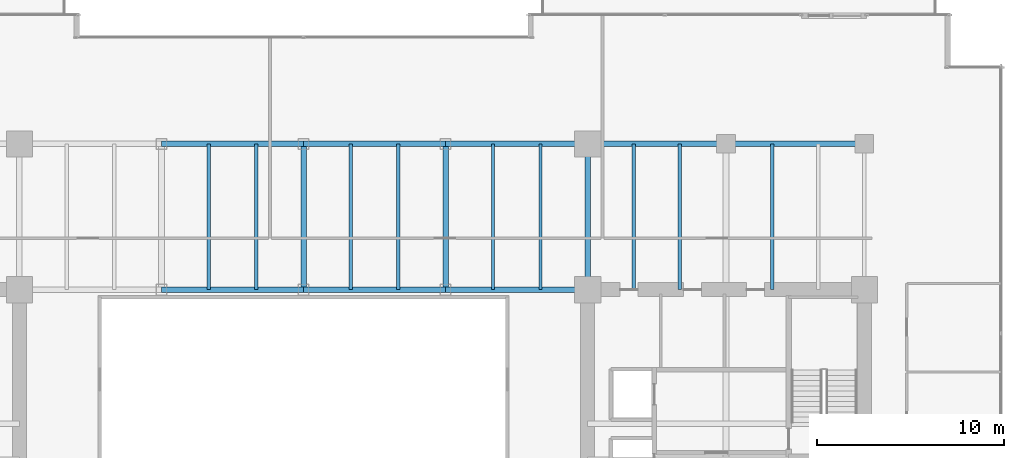
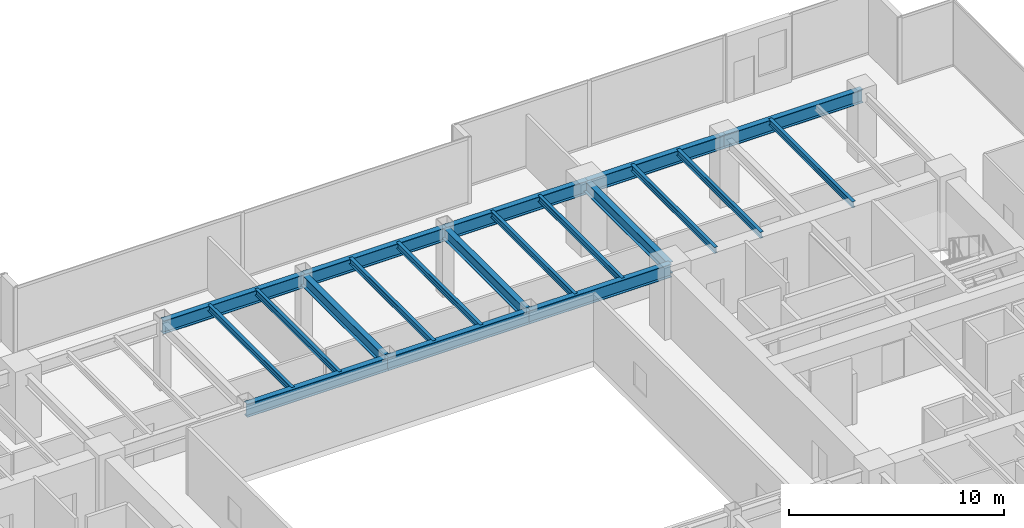
# One storey, part 17 of 31: 20 beams.
"""IFC4 building model written with IfcOpenShell, lengths in metres."""

from ifc_helpers import new_model, si_unit, direction, frame, origin, origin_2d, place, context, subcontext, project, spatial, i_section, extrude, source, transform, mapped, material, material_profile, profile_set, type_object, type_shapes, element, save


model = new_model("IFC4")

# Units and contexts
model_context = context("Model", 3, precision=1e-05, world=origin(), true_north=direction((0.0, 1.0)))
body_context = subcontext(model_context, "Body", "Model", "MODEL_VIEW")
ifc_project = project(units=[si_unit("LENGTHUNIT", "METRE"), si_unit("AREAUNIT", "SQUARE_METRE"), si_unit("VOLUMEUNIT", "CUBIC_METRE"), si_unit("PLANEANGLEUNIT", "RADIAN"), si_unit("MASSUNIT", "GRAM", prefix="KILO")], contexts=[model_context])

# Site, building, storey
site_placement = place(None, origin())
site = spatial("IfcSite", under=ifc_project, at=site_placement, CompositionType="ELEMENT")
building_placement = place(site_placement, origin())
building = spatial("IfcBuilding", under=site, at=building_placement, Name="Haelvirn Gate Laboratories", CompositionType="ELEMENT")
storey_placement = place(building_placement, frame((0.0, 0.0, 62.10009765625)))
storey = spatial("IfcBuildingStorey", under=building, at=storey_placement, Name="L15", CompositionType="ELEMENT", Elevation=62.10009765625)

# Beams
ifc_material = material(Name="Steel SM355", Category="steel")
ifc_material_profile_1 = material_profile(ifc_material, i_section(OverallWidth=0.300048828125, OverallDepth=0.75, WebThickness=0.013916015625, FlangeThickness=0.02392578125, at=origin_2d()), Name="H-750x300x14x24")
ifc_profile_set_1 = profile_set([ifc_material_profile_1], Name="Steel SM355")
beam_type_1 = type_object("IfcBeamType", Name="BM-G-750", PredefinedType="BEAM", material=ifc_profile_set_1)
shared_shape_1 = source(origin(), body_context, "Body", "SweptSolid", [
    extrude(i_section(OverallWidth=0.300048828125, OverallDepth=0.75, WebThickness=0.013916015625, FlangeThickness=0.02392578125, at=origin_2d()), origin(), (0.0, 0.0, 1.0), 7.39990234375),
])
for number, where, z_axis, x_axis, name in (
    (1, (52.60009765625, 41.60009765625, 3.40478515625), (1.0, 0.0, 0.0), (0.0, 1.0, 0.0), "L15 Primary Girder Y41.6 (52.6-60.0)"),
    (2, (60.0, 41.60009765625, 3.40478515625), (1.0, 0.0, 0.0), (0.0, 1.0, 0.0), "L15 Primary Girder Y41.6 (60.0-67.4)"),
):
    element("IfcBeam", number, at=place(storey_placement, frame(where, z_axis=z_axis, x_axis=x_axis)), inside=storey, type_object=beam_type_1, Name=name, PredefinedType="BEAM", context=body_context, shape_type="MappedRepresentation", body=[
        mapped(shared_shape_1, transform((0.0, 0.0, 0.0), scale=1.0)),
    ])
shared_shape_2 = source(origin(), body_context, "Body", "SweptSolid", [
    extrude(i_section(OverallWidth=0.300048828125, OverallDepth=0.75, WebThickness=0.013916015625, FlangeThickness=0.02392578125, at=origin_2d()), origin(), (0.0, 0.0, 1.0), 7.60009765625),
])
for number, where, z_axis, x_axis, name in (
    (3, (37.39990234375, 33.800048828125, 3.40478515625), (1.0, 0.0, 0.0), (0.0, 1.0, 0.0), "L15 Primary Girder Y33.8 (37.4-45.0)"),
    (4, (45.0, 33.800048828125, 3.40478515625), (1.0, 0.0, 0.0), (0.0, 1.0, 0.0), "L15 Primary Girder Y33.8 (45.0-52.6)"),
    (5, (37.39990234375, 41.60009765625, 3.40478515625), (1.0, 0.0, 0.0), (0.0, 1.0, 0.0), "L15 Primary Girder Y41.6 (37.4-45.0)"),
    (6, (45.0, 41.60009765625, 3.40478515625), (1.0, 0.0, 0.0), (0.0, 1.0, 0.0), "L15 Primary Girder Y41.6 (45.0-52.6)"),
):
    element("IfcBeam", number, at=place(storey_placement, frame(where, z_axis=z_axis, x_axis=x_axis)), inside=storey, type_object=beam_type_1, Name=name, PredefinedType="BEAM", context=body_context, shape_type="MappedRepresentation", body=[
        mapped(shared_shape_2, transform((0.0, 0.0, 0.0), scale=1.0)),
    ])
shared_shape_3 = source(origin(), body_context, "Body", "SweptSolid", [
    extrude(i_section(OverallWidth=0.300048828125, OverallDepth=0.75, WebThickness=0.013916015625, FlangeThickness=0.02392578125, at=origin_2d()), origin(), (0.0, 0.0, 1.0), 7.599853515625),
])
type_shapes(beam_type_1, [shared_shape_1, shared_shape_2, shared_shape_3])
for number, where, z_axis, x_axis, name in (
    (7, (29.800048828125, 33.800048828125, 3.40478515625), (1.0, 0.0, 0.0), (0.0, 1.0, 0.0), "L15 Primary Girder Y33.8 (29.8-37.4)"),
    (8, (29.800048828125, 41.60009765625, 3.40478515625), (1.0, 0.0, 0.0), (0.0, 1.0, 0.0), "L15 Primary Girder Y41.6 (29.8-37.4)"),
):
    element("IfcBeam", number, at=place(storey_placement, frame(where, z_axis=z_axis, x_axis=x_axis)), inside=storey, type_object=beam_type_1, Name=name, PredefinedType="BEAM", context=body_context, shape_type="MappedRepresentation", body=[
        mapped(shared_shape_3, transform((0.0, 0.0, 0.0), scale=1.0)),
    ])
ifc_material_profile_2 = material_profile(ifc_material, i_section(OverallWidth=0.175048828125, OverallDepth=0.35009765625, WebThickness=0.007080078125, FlangeThickness=0.010986328125, at=origin_2d()), Name="H-350x175x7x11")
ifc_profile_set_2 = profile_set([ifc_material_profile_2], Name="Steel SM355")
beam_type_2 = type_object("IfcBeamType", Name="BM-J-350", PredefinedType="JOIST", material=ifc_profile_set_2)
shared_shape_4 = source(origin(), body_context, "Body", "SweptSolid", [
    extrude(i_section(OverallWidth=0.175048828125, OverallDepth=0.35009765625, WebThickness=0.007080078125, FlangeThickness=0.010986328125, at=origin_2d()), origin(), (0.0, 0.0, 1.0), 7.800048828125),
])
type_shapes(beam_type_2, [shared_shape_4])
for number, where, z_axis, x_axis, name in (
    (9, (32.330078125, 33.800048828125, 3.60498046875), (0.0, 1.0, 0.0), (-1.0, 0.0, 0.0), "L15 Composite Lab Joist North X32.33"),
    (10, (34.8701171875, 33.800048828125, 3.60498046875), (0.0, 1.0, 0.0), (-1.0, 0.0, 0.0), "L15 Composite Lab Joist North X34.87"),
    (11, (39.929931640625, 33.800048828125, 3.60498046875), (0.0, 1.0, 0.0), (-1.0, 0.0, 0.0), "L15 Composite Lab Joist North X39.93"),
    (12, (42.469970703125, 33.800048828125, 3.60498046875), (0.0, 1.0, 0.0), (-1.0, 0.0, 0.0), "L15 Composite Lab Joist North X42.47"),
    (13, (47.530029296875, 33.800048828125, 3.60498046875), (0.0, 1.0, 0.0), (-1.0, 0.0, 0.0), "L15 Composite Lab Joist North X47.53"),
    (14, (50.070068359375, 33.800048828125, 3.60498046875), (0.0, 1.0, 0.0), (-1.0, 0.0, 0.0), "L15 Composite Lab Joist North X50.07"),
    (15, (55.070068359375, 33.800048828125, 3.60498046875), (0.0, 1.0, 0.0), (-1.0, 0.0, 0.0), "L15 Composite Lab Joist North X55.07"),
    (16, (57.530029296875, 33.800048828125, 3.60498046875), (0.0, 1.0, 0.0), (-1.0, 0.0, 0.0), "L15 Composite Lab Joist North X57.53"),
    (17, (62.469970703125, 33.800048828125, 3.60498046875), (0.0, 1.0, 0.0), (-1.0, 0.0, 0.0), "L15 Composite Lab Joist North X62.47"),
):
    element("IfcBeam", number, at=place(storey_placement, frame(where, z_axis=z_axis, x_axis=x_axis)), inside=storey, type_object=beam_type_2, Name=name, PredefinedType="JOIST", context=body_context, shape_type="MappedRepresentation", body=[
        mapped(shared_shape_4, transform((0.0, 0.0, 0.0), scale=1.0)),
    ])
ifc_material_profile_3 = material_profile(ifc_material, i_section(OverallWidth=0.300048828125, OverallDepth=0.64990234375, WebThickness=0.012939453125, FlangeThickness=0.02197265625, at=origin_2d()), Name="H-650x300x13x22")
ifc_profile_set_3 = profile_set([ifc_material_profile_3], Name="Steel SM355")
beam_type_3 = type_object("IfcBeamType", Name="BM-G-650", PredefinedType="BEAM", material=ifc_profile_set_3)
shared_shape_5 = source(origin(), body_context, "Body", "SweptSolid", [
    extrude(i_section(OverallWidth=0.300048828125, OverallDepth=0.64990234375, WebThickness=0.012939453125, FlangeThickness=0.02197265625, at=origin_2d()), origin(), (0.0, 0.0, 1.0), 7.800048828125),
])
type_shapes(beam_type_3, [shared_shape_5])
for number, where, z_axis, x_axis, name in (
    (18, (37.39990234375, 33.800048828125, 3.454833984375), (0.0, 1.0, 0.0), (-1.0, 0.0, 0.0), "L15 Frame Girder X37.4 (33.8-41.6)"),
    (19, (45.0, 33.800048828125, 3.454833984375), (0.0, 1.0, 0.0), (-1.0, 0.0, 0.0), "L15 Frame Girder X45.0 (33.8-41.6)"),
    (20, (52.60009765625, 33.800048828125, 3.454833984375), (0.0, 1.0, 0.0), (-1.0, 0.0, 0.0), "L15 Frame Girder X52.6 (33.8-41.6)"),
):
    element("IfcBeam", number, at=place(storey_placement, frame(where, z_axis=z_axis, x_axis=x_axis)), inside=storey, type_object=beam_type_3, Name=name, PredefinedType="BEAM", context=body_context, shape_type="MappedRepresentation", body=[
        mapped(shared_shape_5, transform((0.0, 0.0, 0.0), scale=1.0)),
    ])

save(model, "model.ifc")
